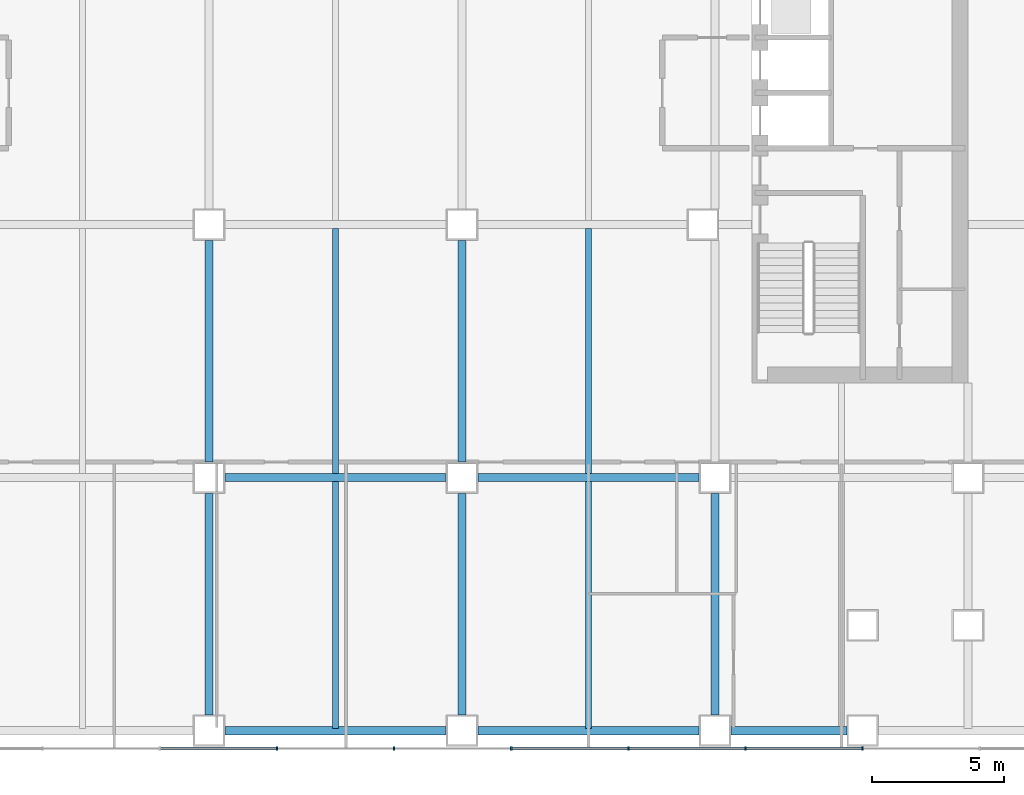
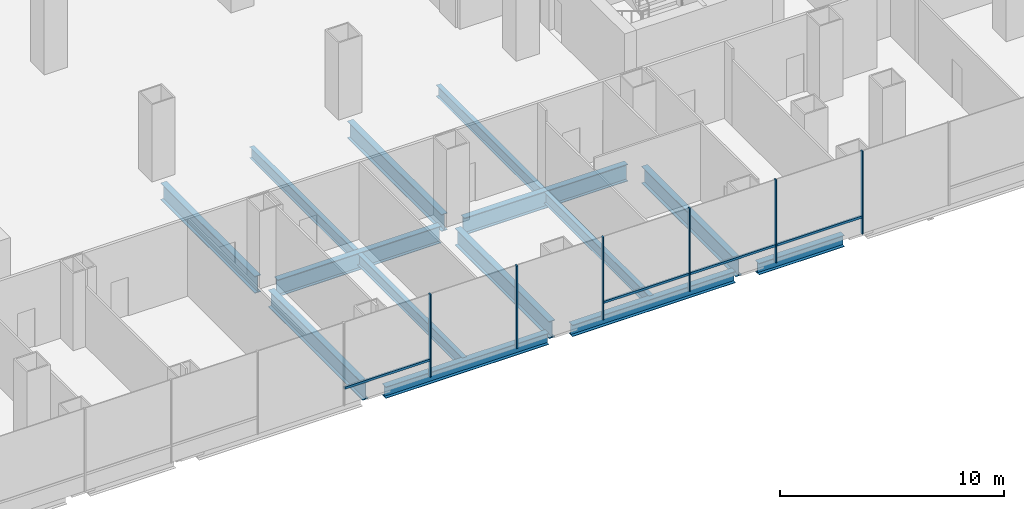
# One storey, part 5 of 23: 14 beams, 10 members, 1 element without a shape of its own.
"""IFC4 building model written with IfcOpenShell, lengths in metres."""

from ifc_helpers import new_model, si_unit, direction, frame, origin, origin_2d, place, context, subcontext, project, spatial, rectangle, i_section, extrude, material, material_profile, profile_set, type_object, element, aggregate, save


model = new_model("IFC4")

# Units and contexts
model_context = context("Model", 3, precision=1e-05, world=origin(), true_north=direction((0.0, 1.0)))
body_context = subcontext(model_context, "Body", "Model", "MODEL_VIEW")
ifc_project = project(units=[si_unit("LENGTHUNIT", "METRE"), si_unit("AREAUNIT", "SQUARE_METRE"), si_unit("VOLUMEUNIT", "CUBIC_METRE"), si_unit("PLANEANGLEUNIT", "RADIAN"), si_unit("MASSUNIT", "GRAM", prefix="KILO")], contexts=[model_context])

# Site, building, storey
site_placement = place(None, origin())
site = spatial("IfcSite", under=ifc_project, at=site_placement, CompositionType="ELEMENT")
building_placement = place(site_placement, origin())
building = spatial("IfcBuilding", under=site, at=building_placement, Name="Cobrizo Arcos Hotel Tower", CompositionType="ELEMENT")
storey_placement = place(building_placement, frame((0.0, 0.0, 29.0)))
storey = spatial("IfcBuildingStorey", under=building, at=storey_placement, Name="L05", CompositionType="ELEMENT", Elevation=29.0)

# Curtain wall, members
ifc_material_1 = material(Name="Aluminium 6063-T6 anodised bronze", Category="aluminium")
curtain_wall_type = type_object("IfcCurtainWallType", Name="CW-A guest facade", PredefinedType="NOTDEFINED", material=ifc_material_1)
curtain_wall_placement = place(storey_placement, origin())
curtain_wall = element("IfcCurtainWall", 1, at=curtain_wall_placement, inside=storey, type_object=curtain_wall_type, Name="CW-A L05 S face", PredefinedType="NOTDEFINED")
ifc_material_profile_1 = material_profile(ifc_material_1, rectangle(XDim=0.14990234375, YDim=0.06005859375, at=origin_2d()), Name="CW-A mullion 150x60")
ifc_profile_set_1 = profile_set([ifc_material_profile_1], Name="Aluminium 6063-T6 anodised bronze")
member_type_1 = type_object("IfcMemberType", Name="CW-A mullion 150x60", PredefinedType="MULLION", material=ifc_profile_set_1)
member_1_placement = place(storey_placement, frame((-2.22216796875, -24.675048828125, 0.0), z_axis=(0.0, 0.0, 1.0), x_axis=(0.0, -1.0, 0.0)))
member_1 = element("IfcMember", 2, at=member_1_placement, type_object=member_type_1, Name="CW-A mullion 9", PredefinedType="MULLION", context=body_context, shape_type="SweptSolid", body=[
    extrude(rectangle(XDim=0.14990234375, YDim=0.06005859375, at=origin_2d()), origin(), (0.0, 0.0, 1.0), 4.5),
])
member_2_placement = place(storey_placement, frame((2.22216796875, -24.675048828125, 0.0), z_axis=(0.0, 0.0, 1.0), x_axis=(0.0, -1.0, 0.0)))
member_2 = element("IfcMember", 3, at=member_2_placement, type_object=member_type_1, Name="CW-A mullion 10", PredefinedType="MULLION", context=body_context, shape_type="SweptSolid", body=[
    extrude(rectangle(XDim=0.14990234375, YDim=0.06005859375, at=origin_2d()), origin(), (0.0, 0.0, 1.0), 4.5),
])
member_3_placement = place(storey_placement, frame((6.666748046875, -24.675048828125, 0.0), z_axis=(0.0, 0.0, 1.0), x_axis=(0.0, -1.0, 0.0)))
member_3 = element("IfcMember", 4, at=member_3_placement, type_object=member_type_1, Name="CW-A mullion 11", PredefinedType="MULLION", context=body_context, shape_type="SweptSolid", body=[
    extrude(rectangle(XDim=0.14990234375, YDim=0.06005859375, at=origin_2d()), origin(), (0.0, 0.0, 1.0), 4.5),
])
member_4_placement = place(storey_placement, frame((11.111083984375, -24.675048828125, 0.0), z_axis=(0.0, 0.0, 1.0), x_axis=(0.0, -1.0, 0.0)))
member_4 = element("IfcMember", 5, at=member_4_placement, type_object=member_type_1, Name="CW-A mullion 12", PredefinedType="MULLION", context=body_context, shape_type="SweptSolid", body=[
    extrude(rectangle(XDim=0.14990234375, YDim=0.06005859375, at=origin_2d()), origin(), (0.0, 0.0, 1.0), 4.5),
])
member_5_placement = place(storey_placement, frame((15.5556640625, -24.675048828125, 0.0), z_axis=(0.0, 0.0, 1.0), x_axis=(0.0, -1.0, 0.0)))
member_5 = element("IfcMember", 6, at=member_5_placement, type_object=member_type_1, Name="CW-A mullion 13", PredefinedType="MULLION", context=body_context, shape_type="SweptSolid", body=[
    extrude(rectangle(XDim=0.14990234375, YDim=0.06005859375, at=origin_2d()), origin(), (0.0, 0.0, 1.0), 4.5),
])
member_6_placement = place(storey_placement, frame((20.0, -24.675048828125, 0.0), z_axis=(0.0, 0.0, 1.0), x_axis=(0.0, -1.0, 0.0)))
member_6 = element("IfcMember", 7, at=member_6_placement, type_object=member_type_1, Name="CW-A mullion 14", PredefinedType="MULLION", context=body_context, shape_type="SweptSolid", body=[
    extrude(rectangle(XDim=0.14990234375, YDim=0.06005859375, at=origin_2d()), origin(), (0.0, 0.0, 1.0), 4.5),
])
ifc_material_profile_2 = material_profile(ifc_material_1, rectangle(XDim=0.10009765625, YDim=0.1201171875, at=origin_2d()), Name="CW-A transom 120x100")
ifc_profile_set_2 = profile_set([ifc_material_profile_2], Name="Aluminium 6063-T6 anodised bronze")
member_type_2 = type_object("IfcMemberType", Name="CW-A transom 120x100", PredefinedType="USERDEFINED", material=ifc_profile_set_2)
member_7_placement = place(storey_placement, frame((-6.63671875, -24.675048828125, 0.929931640625), z_axis=(1.0, 0.0, 0.0), x_axis=(0.0, 1.0, 0.0)))
member_7 = element("IfcMember", 8, at=member_7_placement, type_object=member_type_2, Name="CW-A transom 313", ObjectType="TRANSOM", PredefinedType="USERDEFINED", context=body_context, shape_type="SweptSolid", body=[
    extrude(rectangle(XDim=0.10009765625, YDim=0.1201171875, at=origin_2d()), origin(), (0.0, 0.0, 1.0), 4.384521484375),
])
member_8_placement = place(storey_placement, frame((6.69677734375, -24.675048828125, 0.929931640625), z_axis=(1.0, 0.0, 0.0), x_axis=(0.0, 1.0, 0.0)))
member_8 = element("IfcMember", 9, at=member_8_placement, type_object=member_type_2, Name="CW-A transom 316", ObjectType="TRANSOM", PredefinedType="USERDEFINED", context=body_context, shape_type="SweptSolid", body=[
    extrude(rectangle(XDim=0.10009765625, YDim=0.1201171875, at=origin_2d()), origin(), (0.0, 0.0, 1.0), 4.38427734375),
])
member_9_placement = place(storey_placement, frame((11.14111328125, -24.675048828125, 0.929931640625), z_axis=(1.0, 0.0, 0.0), x_axis=(0.0, 1.0, 0.0)))
member_9 = element("IfcMember", 10, at=member_9_placement, type_object=member_type_2, Name="CW-A transom 317", ObjectType="TRANSOM", PredefinedType="USERDEFINED", context=body_context, shape_type="SweptSolid", body=[
    extrude(rectangle(XDim=0.10009765625, YDim=0.1201171875, at=origin_2d()), origin(), (0.0, 0.0, 1.0), 4.384521484375),
])
member_10_placement = place(storey_placement, frame((15.58544921875, -24.675048828125, 0.929931640625), z_axis=(1.0, 0.0, 0.0), x_axis=(0.0, 1.0, 0.0)))
member_10 = element("IfcMember", 11, at=member_10_placement, type_object=member_type_2, Name="CW-A transom 318", ObjectType="TRANSOM", PredefinedType="USERDEFINED", context=body_context, shape_type="SweptSolid", body=[
    extrude(rectangle(XDim=0.10009765625, YDim=0.1201171875, at=origin_2d()), origin(), (0.0, 0.0, 1.0), 4.384521484375),
])
aggregate(curtain_wall, [member_1, member_2, member_3, member_4, member_5, member_6, member_7, member_8, member_9, member_10])

# Beams
ifc_material_2 = material(Name="Steel ASTM A992 Grade 50", Category="steel")
ifc_material_profile_3 = material_profile(ifc_material_2, i_section(OverallWidth=0.32763671875, OverallDepth=0.622314453125, WebThickness=0.015380859375, FlangeThickness=0.0244140625, at=origin_2d()), Name="W24X131")
ifc_profile_set_3 = profile_set([ifc_material_profile_3], Name="Steel ASTM A992 Grade 50")
beam_type_1 = type_object("IfcBeamType", Name="W24X131 spandrel", PredefinedType="SPANDREL", material=ifc_profile_set_3)
beam_1_placement = place(storey_placement, frame((-4.199951171875, -24.0, -0.51123046875), z_axis=(1.0, 0.0, 0.0), x_axis=(0.0, 1.0, 0.0)))
element("IfcBeam", 12, at=beam_1_placement, inside=storey, type_object=beam_type_1, Name="Spandrel beam W24X131, L05, no. 011", PredefinedType="SPANDREL", context=body_context, shape_type="SweptSolid", body=[
    extrude(i_section(OverallWidth=0.32763671875, OverallDepth=0.622314453125, WebThickness=0.015380859375, FlangeThickness=0.0244140625, at=origin_2d()), origin(), (0.0, 0.0, 1.0), 8.39990234375),
])
beam_2_placement = place(storey_placement, frame((5.39990234375, -24.0, -0.51123046875), z_axis=(1.0, 0.0, 0.0), x_axis=(0.0, 1.0, 0.0)))
element("IfcBeam", 13, at=beam_2_placement, inside=storey, type_object=beam_type_1, Name="Spandrel beam W24X131, L05, no. 012", PredefinedType="SPANDREL", context=body_context, shape_type="SweptSolid", body=[
    extrude(i_section(OverallWidth=0.32763671875, OverallDepth=0.622314453125, WebThickness=0.015380859375, FlangeThickness=0.0244140625, at=origin_2d()), origin(), (0.0, 0.0, 1.0), 8.400146484375),
])
beam_3_placement = place(storey_placement, frame((15.0, -24.0, -0.51123046875), z_axis=(1.0, 0.0, 0.0), x_axis=(0.0, 1.0, 0.0)))
element("IfcBeam", 14, at=beam_3_placement, inside=storey, type_object=beam_type_1, Name="Spandrel beam W24X131, L05, no. 013", PredefinedType="SPANDREL", context=body_context, shape_type="SweptSolid", body=[
    extrude(i_section(OverallWidth=0.32763671875, OverallDepth=0.622314453125, WebThickness=0.015380859375, FlangeThickness=0.0244140625, at=origin_2d()), origin(), (0.0, 0.0, 1.0), 4.39990234375),
])
ifc_material_profile_4 = material_profile(ifc_material_2, i_section(OverallWidth=0.23046875, OverallDepth=0.6171875, WebThickness=0.01318359375, FlangeThickness=0.022216796875, at=origin_2d()), Name="W24X94")
ifc_profile_set_4 = profile_set([ifc_material_profile_4], Name="Steel ASTM A992 Grade 50")
beam_type_2 = type_object("IfcBeamType", Name="W24X94 podium joist", PredefinedType="JOIST", material=ifc_profile_set_4)
beam_4_placement = place(storey_placement, frame((0.0, -23.909912109375, -0.508544921875), z_axis=(0.0, 1.0, 0.0), x_axis=(-1.0, 0.0, 0.0)))
element("IfcBeam", 15, at=beam_4_placement, inside=storey, type_object=beam_type_2, Name="Podium joist PJ1, L05, no. 015", PredefinedType="JOIST", context=body_context, shape_type="SweptSolid", body=[
    extrude(i_section(OverallWidth=0.23046875, OverallDepth=0.6171875, WebThickness=0.01318359375, FlangeThickness=0.022216796875, at=origin_2d()), origin(), (0.0, 0.0, 1.0), 9.356201171875),
])
beam_5_placement = place(storey_placement, frame((0.0, -14.246337890625, -0.508544921875), z_axis=(0.0, 1.0, 0.0), x_axis=(-1.0, 0.0, 0.0)))
element("IfcBeam", 16, at=beam_5_placement, inside=storey, type_object=beam_type_2, Name="Podium joist PJ1, L05, no. 016", PredefinedType="JOIST", context=body_context, shape_type="SweptSolid", body=[
    extrude(i_section(OverallWidth=0.23046875, OverallDepth=0.6171875, WebThickness=0.01318359375, FlangeThickness=0.022216796875, at=origin_2d()), origin(), (0.0, 0.0, 1.0), 9.292724609375),
])
beam_6_placement = place(storey_placement, frame((9.60009765625, -23.909912109375, -0.508544921875), z_axis=(0.0, 1.0, 0.0), x_axis=(-1.0, 0.0, 0.0)))
element("IfcBeam", 17, at=beam_6_placement, inside=storey, type_object=beam_type_2, Name="Podium joist PJ1, L05, no. 020", PredefinedType="JOIST", context=body_context, shape_type="SweptSolid", body=[
    extrude(i_section(OverallWidth=0.23046875, OverallDepth=0.6171875, WebThickness=0.01318359375, FlangeThickness=0.022216796875, at=origin_2d()), origin(), (0.0, 0.0, 1.0), 9.356201171875),
])
beam_7_placement = place(storey_placement, frame((9.60009765625, -14.246337890625, -0.508544921875), z_axis=(0.0, 1.0, 0.0), x_axis=(-1.0, 0.0, 0.0)))
element("IfcBeam", 18, at=beam_7_placement, inside=storey, type_object=beam_type_2, Name="Podium joist PJ1, L05, no. 021", PredefinedType="JOIST", context=body_context, shape_type="SweptSolid", body=[
    extrude(i_section(OverallWidth=0.23046875, OverallDepth=0.6171875, WebThickness=0.01318359375, FlangeThickness=0.022216796875, at=origin_2d()), origin(), (0.0, 0.0, 1.0), 9.292724609375),
])
ifc_material_profile_5 = material_profile(ifc_material_2, i_section(OverallWidth=0.307373046875, OverallDepth=0.927001953125, WebThickness=0.01953125, FlangeThickness=0.031982421875, at=origin_2d()), Name="W36X194")
ifc_profile_set_5 = profile_set([ifc_material_profile_5], Name="Steel ASTM A992 Grade 50")
beam_type_3 = type_object("IfcBeamType", Name="W36X194 podium girder", PredefinedType="BEAM", material=ifc_profile_set_5)
beam_8_placement = place(storey_placement, frame((-4.199951171875, -14.39990234375, -0.66357421875), z_axis=(1.0, 0.0, 0.0), x_axis=(0.0, 1.0, 0.0)))
element("IfcBeam", 19, at=beam_8_placement, inside=storey, type_object=beam_type_3, Name="Podium girder PG1, L05, no. 005", PredefinedType="BEAM", context=body_context, shape_type="SweptSolid", body=[
    extrude(i_section(OverallWidth=0.307373046875, OverallDepth=0.927001953125, WebThickness=0.01953125, FlangeThickness=0.031982421875, at=origin_2d()), origin(), (0.0, 0.0, 1.0), 8.39990234375),
])
beam_9_placement = place(storey_placement, frame((5.39990234375, -14.39990234375, -0.66357421875), z_axis=(1.0, 0.0, 0.0), x_axis=(0.0, 1.0, 0.0)))
element("IfcBeam", 20, at=beam_9_placement, inside=storey, type_object=beam_type_3, Name="Podium girder PG1, L05, no. 006", PredefinedType="BEAM", context=body_context, shape_type="SweptSolid", body=[
    extrude(i_section(OverallWidth=0.307373046875, OverallDepth=0.927001953125, WebThickness=0.01953125, FlangeThickness=0.031982421875, at=origin_2d()), origin(), (0.0, 0.0, 1.0), 8.400146484375),
])
beam_10_placement = place(storey_placement, frame((-4.800048828125, -23.39990234375, -0.66357421875), z_axis=(0.0, 1.0, 0.0), x_axis=(-1.0, 0.0, 0.0)))
element("IfcBeam", 21, at=beam_10_placement, inside=storey, type_object=beam_type_3, Name="Podium girder PG1, L05, no. 051", PredefinedType="BEAM", context=body_context, shape_type="SweptSolid", body=[
    extrude(i_section(OverallWidth=0.307373046875, OverallDepth=0.927001953125, WebThickness=0.01953125, FlangeThickness=0.031982421875, at=origin_2d()), origin(), (0.0, 0.0, 1.0), 8.39990234375),
])
beam_11_placement = place(storey_placement, frame((-4.800048828125, -13.800048828125, -0.66357421875), z_axis=(0.0, 1.0, 0.0), x_axis=(-1.0, 0.0, 0.0)))
element("IfcBeam", 22, at=beam_11_placement, inside=storey, type_object=beam_type_3, Name="Podium girder PG1, L05, no. 052", PredefinedType="BEAM", context=body_context, shape_type="SweptSolid", body=[
    extrude(i_section(OverallWidth=0.307373046875, OverallDepth=0.927001953125, WebThickness=0.01953125, FlangeThickness=0.031982421875, at=origin_2d()), origin(), (0.0, 0.0, 1.0), 8.400146484375),
])
beam_12_placement = place(storey_placement, frame((4.800048828125, -23.39990234375, -0.66357421875), z_axis=(0.0, 1.0, 0.0), x_axis=(-1.0, 0.0, 0.0)))
element("IfcBeam", 23, at=beam_12_placement, inside=storey, type_object=beam_type_3, Name="Podium girder PG1, L05, no. 056", PredefinedType="BEAM", context=body_context, shape_type="SweptSolid", body=[
    extrude(i_section(OverallWidth=0.307373046875, OverallDepth=0.927001953125, WebThickness=0.01953125, FlangeThickness=0.031982421875, at=origin_2d()), origin(), (0.0, 0.0, 1.0), 8.39990234375),
])
beam_13_placement = place(storey_placement, frame((4.800048828125, -13.800048828125, -0.66357421875), z_axis=(0.0, 1.0, 0.0), x_axis=(-1.0, 0.0, 0.0)))
element("IfcBeam", 24, at=beam_13_placement, inside=storey, type_object=beam_type_3, Name="Podium girder PG1, L05, no. 057", PredefinedType="BEAM", context=body_context, shape_type="SweptSolid", body=[
    extrude(i_section(OverallWidth=0.307373046875, OverallDepth=0.927001953125, WebThickness=0.01953125, FlangeThickness=0.031982421875, at=origin_2d()), origin(), (0.0, 0.0, 1.0), 8.400146484375),
])
beam_14_placement = place(storey_placement, frame((14.39990234375, -23.39990234375, -0.66357421875), z_axis=(0.0, 1.0, 0.0), x_axis=(-1.0, 0.0, 0.0)))
element("IfcBeam", 25, at=beam_14_placement, inside=storey, type_object=beam_type_3, Name="Podium girder PG1, L05, no. 061", PredefinedType="BEAM", context=body_context, shape_type="SweptSolid", body=[
    extrude(i_section(OverallWidth=0.307373046875, OverallDepth=0.927001953125, WebThickness=0.01953125, FlangeThickness=0.031982421875, at=origin_2d()), origin(), (0.0, 0.0, 1.0), 8.39990234375),
])

save(model, "model.ifc")
